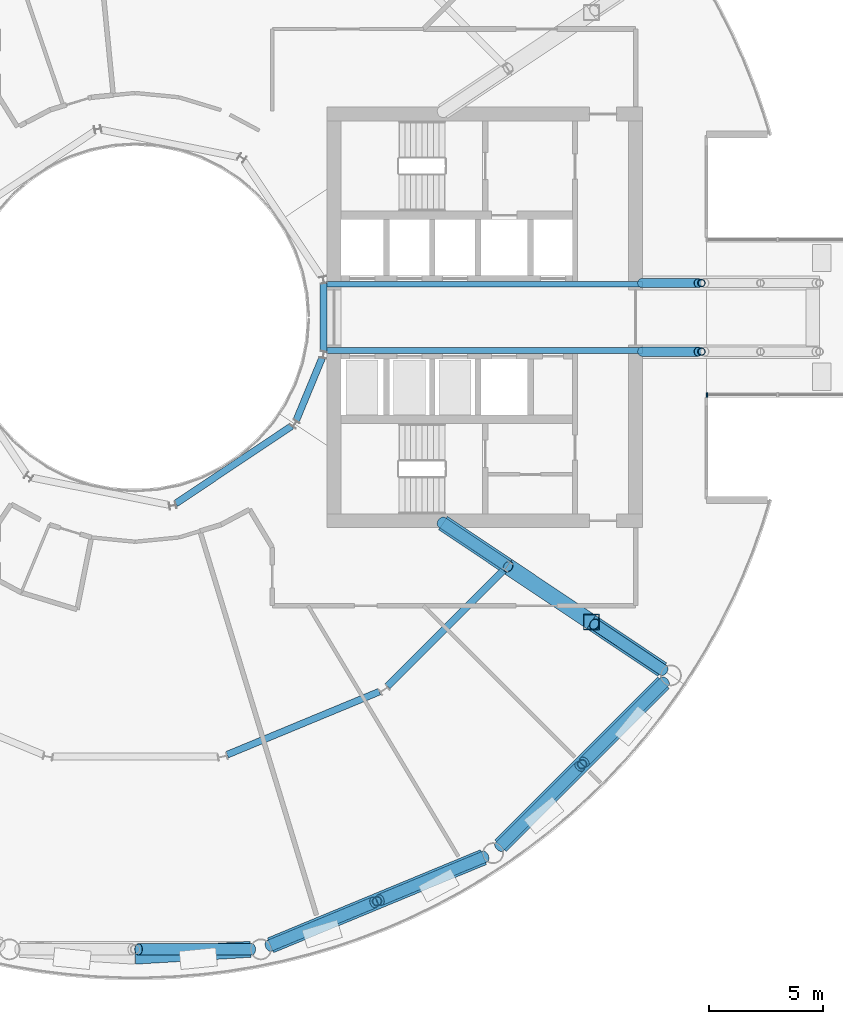
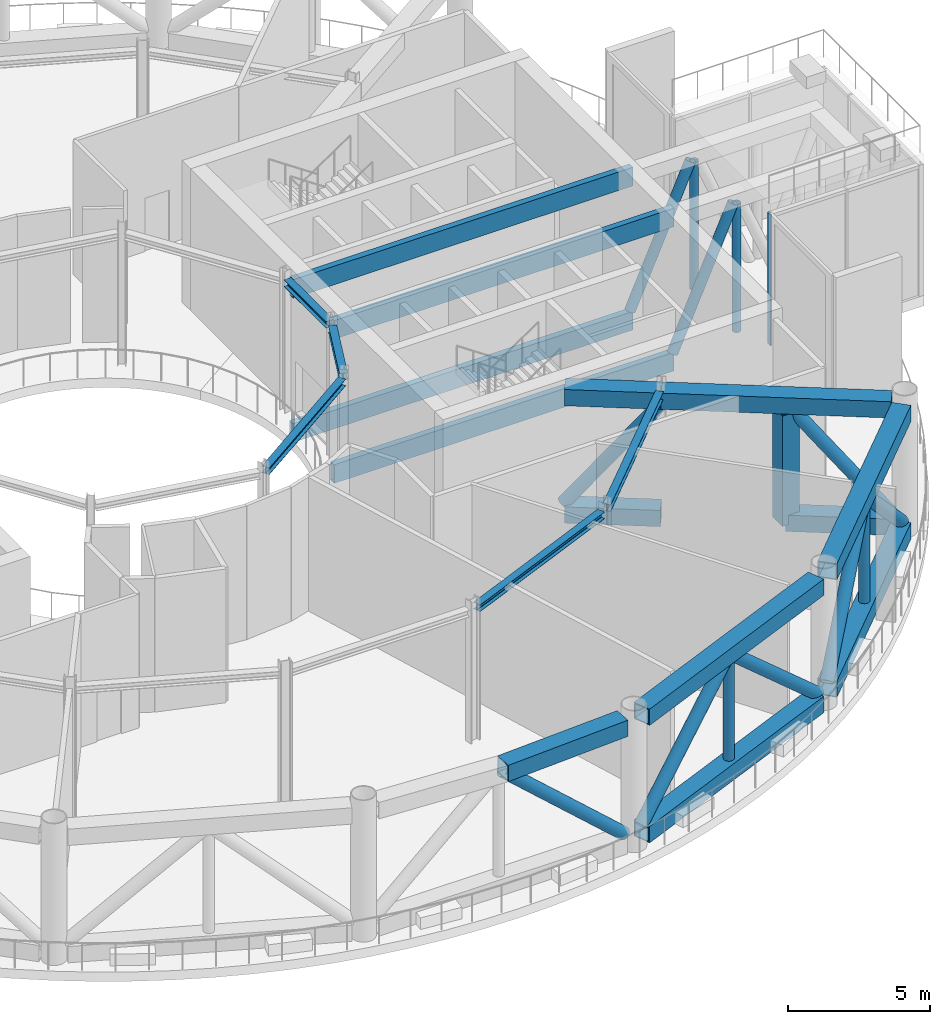
# One storey, part 7 of 25: 18 beams, 15 members, 1 element without a shape of its own.
"""IFC4 building model written with IfcOpenShell, lengths in metres."""

from ifc_helpers import new_model, si_unit, direction, frame, origin, origin_2d, place, context, subcontext, project, spatial, rectangle, hollow_rectangle, hollow_circle, i_section, extrude, material, layer, layer_set, material_profile, profile_set, type_object, element, aggregate, save


model = new_model("IFC4")

# Units and contexts
model_context = context("Model", 3, precision=1e-05, world=origin(), true_north=direction((0.0, 1.0)))
body_context = subcontext(model_context, "Body", "Model", "MODEL_VIEW")
ifc_project = project(units=[si_unit("LENGTHUNIT", "METRE"), si_unit("AREAUNIT", "SQUARE_METRE"), si_unit("VOLUMEUNIT", "CUBIC_METRE"), si_unit("PLANEANGLEUNIT", "RADIAN"), si_unit("MASSUNIT", "GRAM", prefix="KILO")], contexts=[model_context])

# Site, building, storey
site_placement = place(None, origin())
site = spatial("IfcSite", under=ifc_project, at=site_placement, CompositionType="ELEMENT")
building_placement = place(site_placement, origin())
building = spatial("IfcBuilding", under=site, at=building_placement, Name="Maasbend Ring Residences", CompositionType="ELEMENT")
storey_placement = place(building_placement, frame((0.0, 0.0, 139.10009765625)))
storey = spatial("IfcBuildingStorey", under=building, at=storey_placement, Name="L40", CompositionType="ELEMENT", Elevation=139.10009765625)

# Beams
ifc_material_1 = material(Name="Steel S460M", Category="steel")
ifc_material_profile_1 = material_profile(ifc_material_1, hollow_rectangle(XDim=0.699951171875, YDim=0.699951171875, WallThickness=0.0400390625, at=origin_2d()), Name="Belt truss chord BX 700x700x40")
ifc_profile_set_1 = profile_set([ifc_material_profile_1], Name="Steel S460M")
beam_type_1 = type_object("IfcBeamType", Name="Belt truss chord BX 700x700x40", PredefinedType="BEAM", material=ifc_profile_set_1)
beam_1_placement = place(storey_placement, frame((0.0, -27.9580078125, 5.39990234375), z_axis=(0.998238537698, 0.05932808655, 0.0), x_axis=(-0.05932808655, 0.998238537698, 0.0)))
element("IfcBeam", 1, at=beam_1_placement, inside=storey, type_object=beam_type_1, Name="Belt truss", PredefinedType="BEAM", context=body_context, shape_type="SweptSolid", body=[
    extrude(hollow_rectangle(XDim=0.699951171875, YDim=0.699951171875, WallThickness=0.0400390625, at=origin_2d()), origin(), (0.0, 0.0, 1.0), 5.05322265625),
])
for number, where, z_axis, x_axis, name in (
    (2, (5.923583984375, -27.483154296875, 0.349853515625), (0.92388529709, 0.382669515144, 0.0), (-0.382669515144, 0.92388529709, 0.0), "Belt truss"),
    (3, (5.923583984375, -27.483154296875, 5.39990234375), (0.92388529709, 0.382669515144, 0.0), (-0.382669515144, 0.92388529709, 0.0), "Belt truss"),
    (4, (15.990234375, -23.124267578125, 0.349853515625), (0.707106781187, 0.707106781187, 0.0), (-0.707106781187, 0.707106781187, 0.0), "Belt truss"),
    (5, (15.990234375, -23.124267578125, 5.39990234375), (0.707106781187, 0.707106781187, 0.0), (-0.707106781187, 0.707106781187, 0.0), "Belt truss"),
):
    element("IfcBeam", number, at=place(storey_placement, frame(where, z_axis=z_axis, x_axis=x_axis)), inside=storey, type_object=beam_type_1, Name=name, PredefinedType="BEAM", context=body_context, shape_type="SweptSolid", body=[
        extrude(hollow_rectangle(XDim=0.699951171875, YDim=0.699951171875, WallThickness=0.0400390625, at=origin_2d()), origin(), (0.0, 0.0, 1.0), 10.089111328125),
    ])

# Members
ifc_material_2 = material(Name="Steel S460NH", Category="steel")
ifc_material_profile_2 = material_profile(ifc_material_2, hollow_circle(Radius=0.25390625, WallThickness=0.01611328125, at=origin_2d()), Name="Belt truss diagonal CHS 508x16")
ifc_profile_set_2 = profile_set([ifc_material_profile_2], Name="Steel S460NH")
member_type_1 = type_object("IfcMemberType", Name="Belt truss diagonal CHS 508x16", PredefinedType="BRACE", material=ifc_profile_set_2)
member_1_placement = place(storey_placement, frame((0.147705078125, -27.658203125, 5.099853515625), z_axis=(0.743831786321, 0.0, -0.668366870558), x_axis=(0.0, 1.0, 0.0)))
element("IfcMember", 6, at=member_1_placement, inside=storey, type_object=member_type_1, Name="Belt truss diagonal", PredefinedType="BRACE", context=body_context, shape_type="SweptSolid", body=[
    extrude(hollow_circle(Radius=0.25390625, WallThickness=0.01611328125, at=origin_2d()), origin(), (0.0, 0.0, 1.0), 6.657958984375),
])
for number, where, z_axis, x_axis, name in (
    (7, (5.872314453125, -27.50439453125, 0.64990234375), (0.687230408207, 0.28465316716, 0.668346422495), (-0.382675413306, 0.923882854074, 0.0), "Belt truss diagonal"),
    (8, (10.720703125, -25.496337890625, 5.099853515625), (0.687230408207, 0.28465316716, -0.668346422495), (-0.382675413306, 0.923882854074, 0.0), "Belt truss diagonal"),
):
    element("IfcMember", number, at=place(storey_placement, frame(where, z_axis=z_axis, x_axis=x_axis)), inside=storey, type_object=member_type_1, Name=name, PredefinedType="BRACE", context=body_context, shape_type="SweptSolid", body=[
        extrude(hollow_circle(Radius=0.25390625, WallThickness=0.01611328125, at=origin_2d()), origin(), (0.0, 0.0, 1.0), 6.658203125),
    ])
for number, where, z_axis, x_axis, name in (
    (9, (15.950927734375, -23.16357421875, 0.64990234375), (0.525974052157, 0.525974052157, 0.668358132227), (-0.707106781187, 0.707106781187, 0.0), "Belt truss diagonal"),
    (10, (19.66162109375, -19.452880859375, 5.099853515625), (0.525974052157, 0.525974052157, -0.668358132227), (-0.707106781187, 0.707106781187, 0.0), "Belt truss diagonal"),
):
    element("IfcMember", number, at=place(storey_placement, frame(where, z_axis=z_axis, x_axis=x_axis)), inside=storey, type_object=member_type_1, Name=name, PredefinedType="BRACE", context=body_context, shape_type="SweptSolid", body=[
        extrude(hollow_circle(Radius=0.25390625, WallThickness=0.01611328125, at=origin_2d()), origin(), (0.0, 0.0, 1.0), 6.657958984375),
    ])
ifc_material_3 = material(Name="Steel S460NH", Category="steel")
ifc_material_profile_3 = material_profile(ifc_material_3, hollow_circle(Radius=0.203125, WallThickness=0.01611328125, at=origin_2d()), Name="Belt truss post CHS 406.4x16")
ifc_profile_set_3 = profile_set([ifc_material_profile_3], Name="Steel S460NH")
member_type_2 = type_object("IfcMemberType", Name="Belt truss post CHS 406.4x16", PredefinedType="POST", material=ifc_profile_set_3)
for number, where, z_axis, x_axis, name in (
    (11, (10.584228515625, -25.552734375, 0.699951171875), (0.0, 0.0, 1.0), (1.0, 0.0, 0.0), "Belt truss post"),
    (12, (19.55712890625, -19.55712890625, 0.699951171875), (0.0, 0.0, 1.0), (1.0, 0.0, 0.0), "Belt truss post"),
):
    element("IfcMember", number, at=place(storey_placement, frame(where, z_axis=z_axis, x_axis=x_axis)), inside=storey, type_object=member_type_2, Name=name, PredefinedType="POST", context=body_context, shape_type="SweptSolid", body=[
        extrude(hollow_circle(Radius=0.203125, WallThickness=0.01611328125, at=origin_2d()), origin(), (0.0, 0.0, 1.0), 4.349853515625),
    ])

# Curtain wall, member
ifc_material_4 = material(Name="Aluminium and clear glass", Category="aluminium")
ifc_layer = layer(ifc_material_4, 0.199951171875)
ifc_layer_set = layer_set([ifc_layer], Name="CW-GR")
curtain_wall_type = type_object("IfcCurtainWallType", Name="CW-GR", PredefinedType="NOTDEFINED", material=ifc_layer_set)
curtain_wall_placement = place(storey_placement, origin())
curtain_wall = element("IfcCurtainWall", 13, at=curtain_wall_placement, inside=storey, type_object=curtain_wall_type, Name="Glass lounge curtain wall south", PredefinedType="NOTDEFINED")
ifc_material_5 = material(Name="Aluminium 6063-T6", Category="aluminium")
ifc_material_profile_4 = material_profile(ifc_material_5, rectangle(XDim=0.199951171875, YDim=0.070068359375, at=origin_2d()), Name="AL 200x70")
ifc_profile_set_4 = profile_set([ifc_material_profile_4], Name="Aluminium 6063-T6")
member_type_3 = type_object("IfcMemberType", Name="CWM-GR", PredefinedType="MULLION", material=ifc_profile_set_4)
member_2_placement = place(storey_placement, frame((25.034912109375, -3.39990234375, 0.0), z_axis=(0.0, 0.0, 1.0), x_axis=(0.0, 1.0, 0.0)))
member_2 = element("IfcMember", 14, at=member_2_placement, type_object=member_type_3, Name="Mullion glass room", PredefinedType="MULLION", context=body_context, shape_type="SweptSolid", body=[
    extrude(rectangle(XDim=0.199951171875, YDim=0.070068359375, at=origin_2d()), origin(), (0.0, 0.0, 1.0), 5.64990234375),
])
aggregate(curtain_wall, [member_2])

# Beams
ifc_material_6 = material(Name="Steel S355J2", Category="steel")
ifc_material_profile_5 = material_profile(ifc_material_6, i_section(OverallWidth=0.300048828125, OverallDepth=0.2900390625, WebThickness=0.008544921875, FlangeThickness=0.013916015625, FilletRadius=0.027099609375, at=origin_2d()), Name="HEA 300")
ifc_profile_set_5 = profile_set([ifc_material_profile_5], Name="Steel S355J2")
beam_type_2 = type_object("IfcBeamType", Name="Corridor ring beam HEA 300", PredefinedType="BEAM", material=ifc_profile_set_5)
for number, where, z_axis, x_axis, name in (
    (15, (4.02734375, -19.13916015625, 5.60498046875), (0.923877693919, 0.382687871089, 0.0), (-0.382687871089, 0.923877693919, 0.0), "Corridor ring beam"),
    (16, (11.044921875, -16.14111328125, 5.60498046875), (0.707106781187, 0.707106781187, 0.0), (-0.707106781187, 0.707106781187, 0.0), "Corridor ring beam"),
):
    element("IfcBeam", number, at=place(storey_placement, frame(where, z_axis=z_axis, x_axis=x_axis)), inside=storey, type_object=beam_type_2, Name=name, PredefinedType="BEAM", context=body_context, shape_type="SweptSolid", body=[
        extrude(i_section(OverallWidth=0.300048828125, OverallDepth=0.2900390625, WebThickness=0.008544921875, FlangeThickness=0.013916015625, FilletRadius=0.027099609375, at=origin_2d()), origin(), (0.0, 0.0, 1.0), 7.20703125),
    ])
ifc_material_7 = material(Name="Steel S460M", Category="steel")
ifc_material_profile_6 = material_profile(ifc_material_7, hollow_rectangle(XDim=0.25, YDim=0.800048828125, WallThickness=0.02490234375, at=origin_2d()), Name="Glass room back-span beam BX 800x250x25")
ifc_profile_set_6 = profile_set([ifc_material_profile_6], Name="Steel S460M")
beam_type_3 = type_object("IfcBeamType", Name="Glass room back-span beam BX 800x250x25", PredefinedType="BEAM", material=ifc_profile_set_6)
for number, where, z_axis, x_axis, name in (
    (17, (22.199951171875, -1.449951171875, -0.85009765625), (-1.0, 0.0, 0.0), (0.0, -1.0, 0.0), "Glass room lower back-span beam E"),
    (18, (22.199951171875, -1.449951171875, 5.349853515625), (-1.0, 0.0, 0.0), (0.0, -1.0, 0.0), "Glass room back-span beam E"),
    (19, (22.199951171875, 1.449951171875, -0.85009765625), (-1.0, 0.0, 0.0), (0.0, -1.0, 0.0), "Glass room lower back-span beam E"),
    (20, (22.199951171875, 1.449951171875, 5.349853515625), (-1.0, 0.0, 0.0), (0.0, -1.0, 0.0), "Glass room back-span beam E"),
):
    element("IfcBeam", number, at=place(storey_placement, frame(where, z_axis=z_axis, x_axis=x_axis)), inside=storey, type_object=beam_type_3, Name=name, PredefinedType="BEAM", context=body_context, shape_type="SweptSolid", body=[
        extrude(hollow_rectangle(XDim=0.25, YDim=0.800048828125, WallThickness=0.02490234375, at=origin_2d()), origin(), (0.0, 0.0, 1.0), 13.830810546875),
    ])

# Members
ifc_material_8 = material(Name="Steel S460NH", Category="steel")
ifc_material_profile_7 = material_profile(ifc_material_8, hollow_circle(Radius=0.203125, WallThickness=0.01611328125, at=origin_2d()), Name="Glass room truss diagonal CHS 406.4x16")
ifc_profile_set_7 = profile_set([ifc_material_profile_7], Name="Steel S460NH")
member_type_4 = type_object("IfcMemberType", Name="Glass room truss diagonal CHS 406.4x16", PredefinedType="BRACE", material=ifc_profile_set_7)
for number, where, z_axis, x_axis, name in (
    (21, (22.177978515625, -1.5, -0.5), (0.402929824576, 0.0, 0.915230876045), (0.0, 1.0, 0.0), "Glass room truss E diagonal"),
    (22, (22.177978515625, 1.5, -0.5), (0.402929824576, 0.0, 0.915230876045), (0.0, 1.0, 0.0), "Glass room truss E diagonal"),
):
    element("IfcMember", number, at=place(storey_placement, frame(where, z_axis=z_axis, x_axis=x_axis)), inside=storey, type_object=member_type_4, Name=name, PredefinedType="BRACE", context=body_context, shape_type="SweptSolid", body=[
        extrude(hollow_circle(Radius=0.203125, WallThickness=0.01611328125, at=origin_2d()), origin(), (0.0, 0.0, 1.0), 6.118408203125),
    ])
ifc_material_9 = material(Name="Steel S460NH", Category="steel")
ifc_material_profile_8 = material_profile(ifc_material_9, hollow_circle(Radius=0.161865234375, WallThickness=0.012451171875, at=origin_2d()), Name="Glass room truss post CHS 323.9x12.5")
ifc_profile_set_8 = profile_set([ifc_material_profile_8], Name="Steel S460NH")
member_type_5 = type_object("IfcMemberType", Name="Glass room truss post CHS 323.9x12.5", PredefinedType="POST", material=ifc_profile_set_8)
for number, where, z_axis, x_axis, name in (
    (23, (24.783203125, -1.5, -0.4501953125), (0.0, 0.0, 1.0), (1.0, 0.0, 0.0), "Glass room truss E post"),
    (24, (24.783203125, 1.5, -0.4501953125), (0.0, 0.0, 1.0), (1.0, 0.0, 0.0), "Glass room truss E post"),
):
    element("IfcMember", number, at=place(storey_placement, frame(where, z_axis=z_axis, x_axis=x_axis)), inside=storey, type_object=member_type_5, Name=name, PredefinedType="POST", context=body_context, shape_type="SweptSolid", body=[
        extrude(hollow_circle(Radius=0.161865234375, WallThickness=0.012451171875, at=origin_2d()), origin(), (0.0, 0.0, 1.0), 5.5),
    ])

# Beams
ifc_material_10 = material(Name="Steel S460M", Category="steel")
ifc_material_profile_9 = material_profile(ifc_material_10, hollow_rectangle(XDim=0.699951171875, YDim=0.699951171875, WallThickness=0.0400390625, at=origin_2d()), Name="Outrigger truss chord BX 700x700x40")
ifc_profile_set_9 = profile_set([ifc_material_profile_9], Name="Steel S460M")
beam_type_4 = type_object("IfcBeamType", Name="Outrigger truss chord BX 700x700x40", PredefinedType="BEAM", material=ifc_profile_set_9)
beam_2_placement = place(storey_placement, frame((23.0673828125, -15.4130859375, 0.349853515625), z_axis=(-0.831476625974, 0.555559736175, 0.0), x_axis=(-0.555559736175, -0.831476625974, 0.0)))
element("IfcBeam", 25, at=beam_2_placement, inside=storey, type_object=beam_type_4, Name="Outrigger truss", PredefinedType="BEAM", context=body_context, shape_type="SweptSolid", body=[
    extrude(hollow_rectangle(XDim=0.699951171875, YDim=0.699951171875, WallThickness=0.0400390625, at=origin_2d()), origin(), (0.0, 0.0, 1.0), 3.73486328125),
])
beam_3_placement = place(storey_placement, frame((23.0673828125, -15.4130859375, 5.39990234375), z_axis=(-0.831468075719, 0.555572532673, 0.0), x_axis=(-0.555572532673, -0.831468075719, 0.0)))
element("IfcBeam", 26, at=beam_3_placement, inside=storey, type_object=beam_type_4, Name="Outrigger truss", PredefinedType="BEAM", context=body_context, shape_type="SweptSolid", body=[
    extrude(hollow_rectangle(XDim=0.699951171875, YDim=0.699951171875, WallThickness=0.0400390625, at=origin_2d()), origin(), (0.0, 0.0, 1.0), 8.135009765625),
])
for number, where, z_axis, x_axis, name in (
    (27, (16.2900390625, -10.884765625, 0.349853515625), (-0.831451918965, 0.555596712058, 0.0), (-0.555596712058, -0.831451918965, 0.0), "Outrigger truss"),
    (28, (16.2900390625, -10.884765625, 5.39990234375), (-0.831451918965, 0.555596712058, 0.0), (-0.555596712058, -0.831451918965, 0.0), "Outrigger truss"),
):
    element("IfcBeam", number, at=place(storey_placement, frame(where, z_axis=z_axis, x_axis=x_axis)), inside=storey, type_object=beam_type_4, Name=name, PredefinedType="BEAM", context=body_context, shape_type="SweptSolid", body=[
        extrude(hollow_rectangle(XDim=0.699951171875, YDim=0.699951171875, WallThickness=0.0400390625, at=origin_2d()), origin(), (0.0, 0.0, 1.0), 3.392333984375),
    ])

# Members
ifc_material_11 = material(Name="Steel S460NH", Category="steel")
ifc_material_profile_10 = material_profile(ifc_material_11, hollow_circle(Radius=0.25390625, WallThickness=0.02490234375, at=origin_2d()), Name="Outrigger truss diagonal CHS 508x25")
ifc_profile_set_10 = profile_set([ifc_material_profile_10], Name="Steel S460NH")
member_type_6 = type_object("IfcMemberType", Name="Outrigger truss diagonal CHS 508x25", PredefinedType="BRACE", material=ifc_profile_set_10)
member_3_placement = place(storey_placement, frame((23.101318359375, -15.435791015625, 0.64990234375), z_axis=(-0.52409752366, 0.350193404269, 0.776328773974), x_axis=(-0.555573122826, -0.831467681388, 0.0)))
element("IfcMember", 29, at=member_3_placement, inside=storey, type_object=member_type_6, Name="Outrigger truss diagonal", PredefinedType="BRACE", context=body_context, shape_type="SweptSolid", body=[
    extrude(hollow_circle(Radius=0.25390625, WallThickness=0.02490234375, at=origin_2d()), origin(), (0.0, 0.0, 1.0), 5.73193359375),
])
member_4_placement = place(storey_placement, frame((16.322509765625, -10.906494140625, 5.099853515625), z_axis=(-0.511318996227, 0.341686896709, -0.78854482987), x_axis=(-0.555608978512, -0.831443722086, 0.0)))
element("IfcMember", 30, at=member_4_placement, inside=storey, type_object=member_type_6, Name="Outrigger truss diagonal", PredefinedType="BRACE", context=body_context, shape_type="SweptSolid", body=[
    extrude(hollow_circle(Radius=0.25390625, WallThickness=0.02490234375, at=origin_2d()), origin(), (0.0, 0.0, 1.0), 5.643310546875),
])
ifc_material_12 = material(Name="Steel S460M", Category="steel")
ifc_material_profile_11 = material_profile(ifc_material_12, hollow_rectangle(XDim=0.699951171875, YDim=0.699951171875, WallThickness=0.0400390625, at=origin_2d()), Name="Outrigger truss post BX 700x700x40")
ifc_profile_set_11 = profile_set([ifc_material_profile_11], Name="Steel S460M")
member_type_7 = type_object("IfcMemberType", Name="Outrigger truss post BX 700x700x40", PredefinedType="POST", material=ifc_profile_set_11)
member_5_placement = place(storey_placement, frame((19.9619140625, -13.338134765625, 0.2998046875), z_axis=(0.0, 0.0, 1.0), x_axis=(1.0, 0.0, 0.0)))
element("IfcMember", 31, at=member_5_placement, inside=storey, type_object=member_type_7, Name="Outrigger truss post", PredefinedType="POST", context=body_context, shape_type="SweptSolid", body=[
    extrude(hollow_rectangle(XDim=0.699951171875, YDim=0.699951171875, WallThickness=0.0400390625, at=origin_2d()), origin(), (0.0, 0.0, 1.0), 4.75),
])

# Beams
ifc_material_13 = material(Name="Steel S355J2", Category="steel")
ifc_material_profile_12 = material_profile(ifc_material_13, i_section(OverallWidth=0.300048828125, OverallDepth=0.2900390625, WebThickness=0.008544921875, FlangeThickness=0.013916015625, FilletRadius=0.027099609375, at=origin_2d()), Name="HEA 300")
ifc_profile_set_12 = profile_set([ifc_material_profile_12], Name="Steel S355J2")
beam_type_5 = type_object("IfcBeamType", Name="Well edge beam HEA 300", PredefinedType="BEAM", material=ifc_profile_set_12)
beam_4_placement = place(storey_placement, frame((1.773681640625, -8.1484375, 5.60498046875), z_axis=(0.831477628137, 0.555558236289, 0.0), x_axis=(-0.555558236289, 0.831477628137, 0.0)))
element("IfcBeam", 32, at=beam_4_placement, inside=storey, type_object=beam_type_5, Name="Well edge beam", PredefinedType="BEAM", context=body_context, shape_type="SweptSolid", body=[
    extrude(i_section(OverallWidth=0.300048828125, OverallDepth=0.2900390625, WebThickness=0.008544921875, FlangeThickness=0.013916015625, FilletRadius=0.027099609375, at=origin_2d()), origin(), (0.0, 0.0, 1.0), 6.1044921875),
])
for number, where, z_axis, x_axis, name in (
    (33, (7.042724609375, -4.525390625, 5.60498046875), (0.382765370874, 0.923845588212, 0.0), (-0.923845588212, 0.382765370874, 0.0), "Well edge beam"),
    (34, (8.238525390625, -1.48583984375, 5.60498046875), (0.0, 1.0, 0.0), (-1.0, 0.0, 0.0), "Well edge beam"),
):
    element("IfcBeam", number, at=place(storey_placement, frame(where, z_axis=z_axis, x_axis=x_axis)), inside=storey, type_object=beam_type_5, Name=name, PredefinedType="BEAM", context=body_context, shape_type="SweptSolid", body=[
        extrude(i_section(OverallWidth=0.300048828125, OverallDepth=0.2900390625, WebThickness=0.008544921875, FlangeThickness=0.013916015625, FilletRadius=0.027099609375, at=origin_2d()), origin(), (0.0, 0.0, 1.0), 2.9716796875),
    ])

save(model, "model.ifc")
